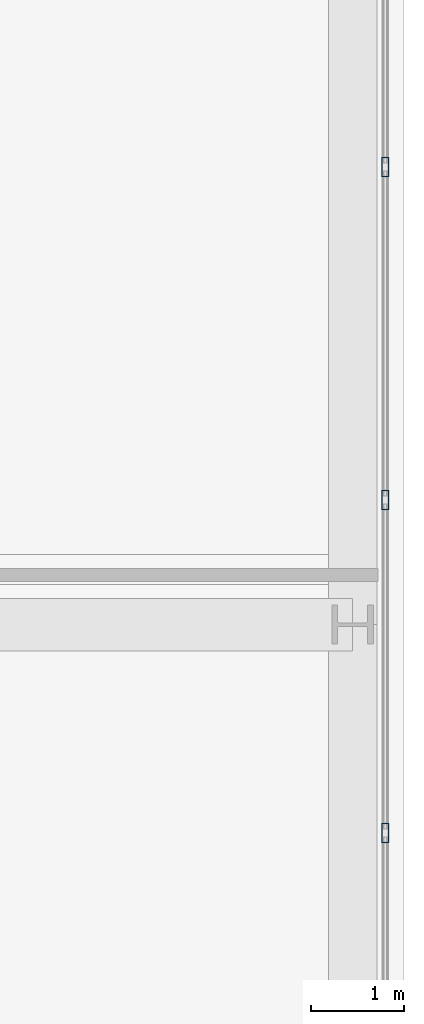
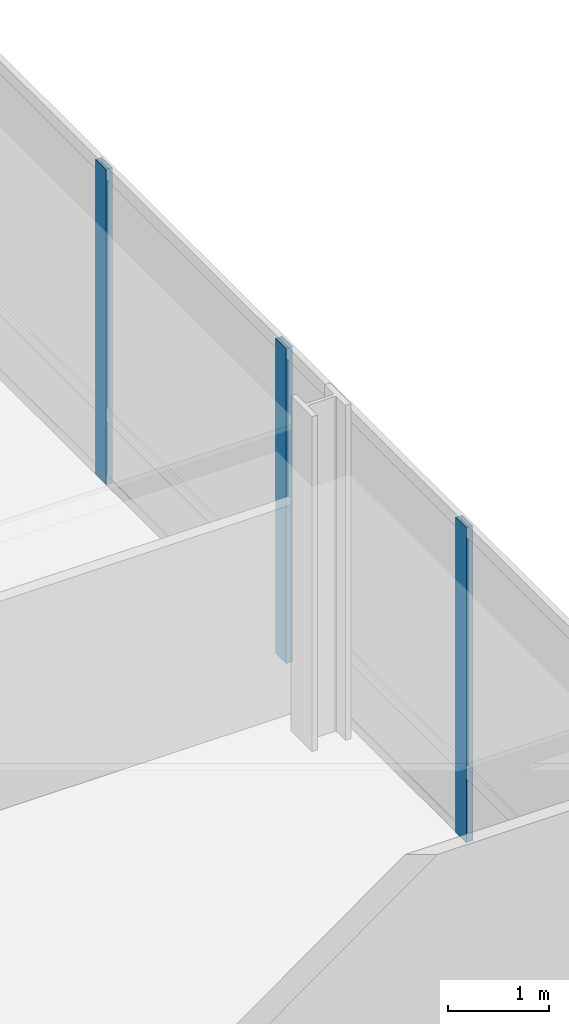
# One storey, part 17 of 34: 3 members, 1 element without a shape of its own.
"""IFC4 building model written with IfcOpenShell, lengths in metres."""

from ifc_helpers import new_model, si_unit, direction, frame, origin, origin_2d, place, context, subcontext, project, spatial, hollow_rectangle, extrude, material, material_profile, profile_set, type_object, element, aggregate, save


model = new_model("IFC4")

# Units and contexts
model_context = context("Model", 3, precision=1e-05, world=origin(), true_north=direction((0.0, 1.0)))
body_context = subcontext(model_context, "Body", "Model", "MODEL_VIEW")
ifc_project = project(units=[si_unit("LENGTHUNIT", "METRE"), si_unit("AREAUNIT", "SQUARE_METRE"), si_unit("VOLUMEUNIT", "CUBIC_METRE"), si_unit("PLANEANGLEUNIT", "RADIAN"), si_unit("MASSUNIT", "GRAM", prefix="KILO")], contexts=[model_context])

# Site, building, storey
site_placement = place(None, origin())
site = spatial("IfcSite", under=ifc_project, at=site_placement, CompositionType="ELEMENT")
building_placement = place(site_placement, origin())
building = spatial("IfcBuilding", under=site, at=building_placement, Name="Punatoya Terracotta Tower", CompositionType="ELEMENT")
storey_placement = place(building_placement, frame((0.0, 0.0, 84.89990234375)))
storey = spatial("IfcBuildingStorey", under=building, at=storey_placement, Name="L19", CompositionType="ELEMENT", Elevation=84.89990234375)

# Curtain wall, members
ifc_material_1 = material(Name="Aluminium 6063-T6 + Double Low-E Glass", Category="aluminium")
curtain_wall_type = type_object("IfcCurtainWallType", Name="CW-M1", PredefinedType="NOTDEFINED", material=ifc_material_1)
curtain_wall_placement = place(storey_placement, origin())
curtain_wall = element("IfcCurtainWall", 1, at=curtain_wall_placement, inside=storey, type_object=curtain_wall_type, Name="L19 Curtain Wall CW-L19-E05-1", PredefinedType="NOTDEFINED")
ifc_material_2 = material(Name="Aluminium 6063-T6", Category="aluminium")
ifc_material_profile = material_profile(ifc_material_2, hollow_rectangle(XDim=0.074951171875, YDim=0.2099609375, WallThickness=0.00439453125, at=origin_2d()))
ifc_profile_set = profile_set([ifc_material_profile], Name="Aluminium 6063-T6")
member_type = type_object("IfcMemberType", Name="CW-MUL-M1", PredefinedType="MULLION", material=ifc_profile_set)
member_1_placement = place(storey_placement, frame((24.85009765625, 1.16748046875, 0.0), z_axis=(0.0, 0.0, 1.0), x_axis=(1.0, 0.0, 0.0)))
member_1 = element("IfcMember", 2, at=member_1_placement, type_object=member_type, Name="CW-L19-E05-1 Mullion 06", PredefinedType="MULLION", context=body_context, shape_type="SweptSolid", body=[
    extrude(hollow_rectangle(XDim=0.074951171875, YDim=0.2099609375, WallThickness=0.00439453125, at=origin_2d()), origin(), (0.0, 0.0, 1.0), 3.81005859375),
])
member_2_placement = place(storey_placement, frame((24.85009765625, 4.73486328125, 0.0), z_axis=(0.0, 0.0, 1.0), x_axis=(1.0, 0.0, 0.0)))
member_2 = element("IfcMember", 3, at=member_2_placement, type_object=member_type, Name="CW-L19-E05-1 Mullion 07", PredefinedType="MULLION", context=body_context, shape_type="SweptSolid", body=[
    extrude(hollow_rectangle(XDim=0.074951171875, YDim=0.2099609375, WallThickness=0.00439453125, at=origin_2d()), origin(), (0.0, 0.0, 1.0), 3.81005859375),
])
member_3_placement = place(storey_placement, frame((24.85009765625, 8.302001953125, 0.0), z_axis=(0.0, 0.0, 1.0), x_axis=(1.0, 0.0, 0.0)))
member_3 = element("IfcMember", 4, at=member_3_placement, type_object=member_type, Name="CW-L19-E05-1 Mullion 08", PredefinedType="MULLION", context=body_context, shape_type="SweptSolid", body=[
    extrude(hollow_rectangle(XDim=0.074951171875, YDim=0.2099609375, WallThickness=0.00439453125, at=origin_2d()), origin(), (0.0, 0.0, 1.0), 3.81005859375),
])
aggregate(curtain_wall, [member_1, member_2, member_3])

save(model, "model.ifc")
